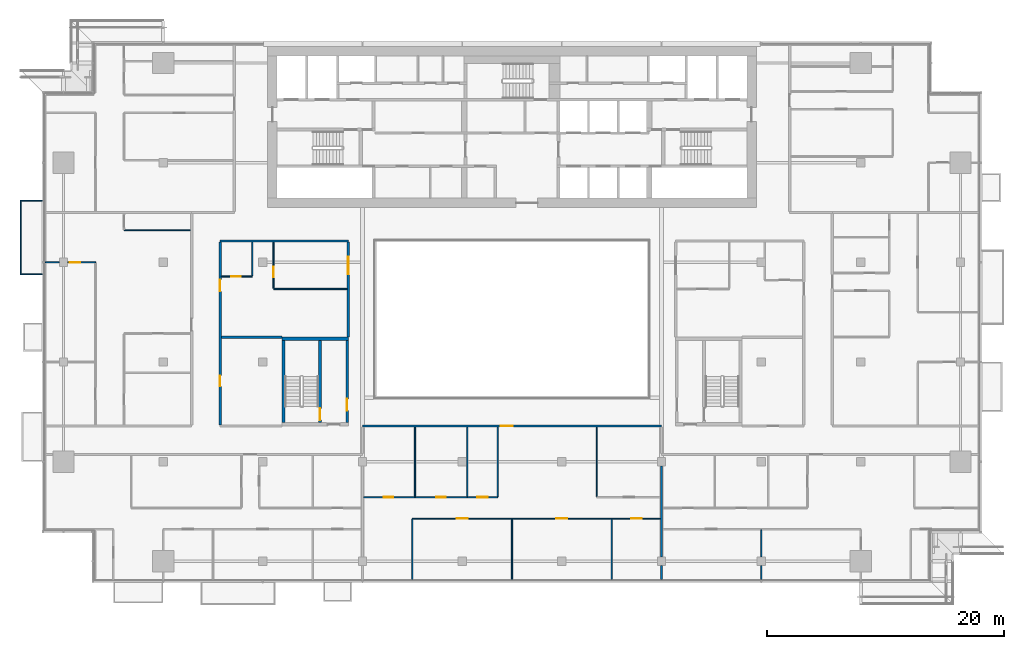
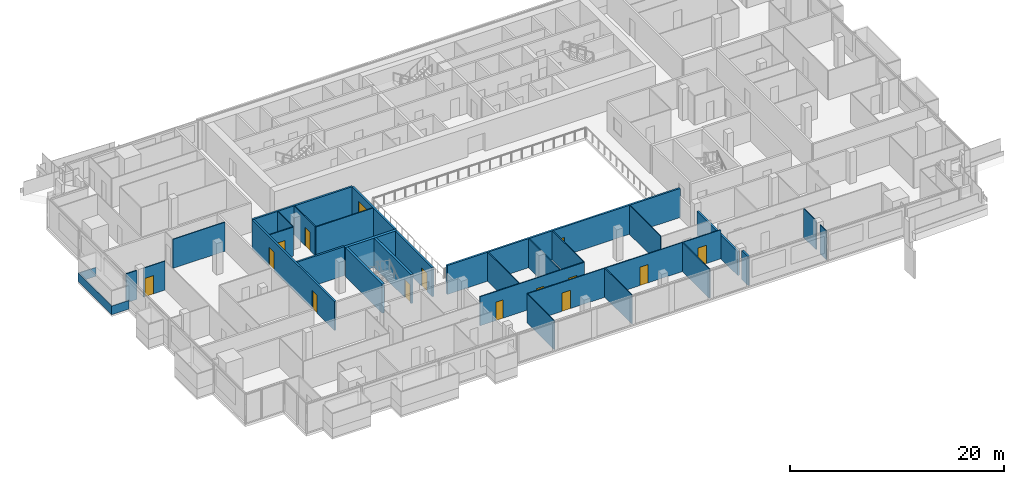
# One storey, part 18 of 30: 30 walls, 14 doors, 1 window, 15 openings.
"""IFC4 building model written with IfcOpenShell, lengths in metres."""

from ifc_helpers import new_model, si_unit, direction, frame, frame_2d, origin, place, context, subcontext, project, spatial, polyline, rectangle, outline, extrude, material, layer, layer_set, type_object, element, fill, save


model = new_model("IFC4")

# Units and contexts
model_context = context("Model", 3, precision=1e-05, world=origin(), true_north=direction((0.0, 1.0)))
body_context = subcontext(model_context, "Body", "Model", "MODEL_VIEW")
ifc_project = project(units=[si_unit("LENGTHUNIT", "METRE"), si_unit("AREAUNIT", "SQUARE_METRE"), si_unit("VOLUMEUNIT", "CUBIC_METRE"), si_unit("PLANEANGLEUNIT", "RADIAN"), si_unit("MASSUNIT", "GRAM", prefix="KILO")], contexts=[model_context])

# Site, building, storey
site_placement = place(None, origin())
site = spatial("IfcSite", under=ifc_project, at=site_placement, CompositionType="ELEMENT")
building_placement = place(site_placement, origin())
building = spatial("IfcBuilding", under=site, at=building_placement, Name="Saffron Gate Tower", CompositionType="ELEMENT")
storey_placement = place(building_placement, frame((0.0, 0.0, 158.25)))
storey = spatial("IfcBuildingStorey", under=building, at=storey_placement, Name="L38", CompositionType="ELEMENT", Elevation=158.25)

# Wall, opening, door
ifc_material_1 = material(Name="Gypsum board partition on steel studs", Category="steel")
ifc_layer_1 = layer(ifc_material_1, 0.199951171875)
ifc_layer_set_1 = layer_set([ifc_layer_1], Name="CW10 Core partition 200")
wall_type_1 = type_object("IfcWallType", Name="CW10 Core partition 200", PredefinedType="PARTITIONING", material=ifc_layer_set_1)
wall_1_placement = place(storey_placement, frame((73.699951171875, 43.5, 0.0), z_axis=(0.0, 0.0, 1.0), x_axis=(0.0, 1.0, 0.0)))
wall_1 = element("IfcWall", 1, at=wall_1_placement, inside=storey, type_object=wall_type_1, Name="Wall CW10-L38-D-4", PredefinedType="PARTITIONING", context=body_context, shape_type="SweptSolid", body=[
    extrude(rectangle(XDim=6.89990234375, YDim=0.199951171875, at=frame_2d((3.449951171875, 0.0))), origin(), (0.0, 0.0, 1.0), 3.320068359375),
])
opening_1_placement = place(wall_1_placement, frame((1.0, 0.0, 0.0)))
opening_1 = element("IfcOpeningElement", 2, at=opening_1_placement, cuts=wall_1, Name="Opening CR-19", PredefinedType="OPENING", context=body_context, shape_type="SweptSolid", body=[
    extrude(rectangle(XDim=1.0, YDim=2.10009765625, at=frame_2d((0.5, 1.050048828125))), frame((0.0, 0.10986328125, 0.0), z_axis=(0.0, -1.0, 0.0), x_axis=(1.0, 0.0, 0.0)), (0.0, 0.0, 1.0), 0.219970703125),
])
ifc_material_2 = material(Name="Steel fire door set", Category="steel")
door_type_1 = type_object("IfcDoorType", Name="CD4 Lobby door 1000x2100 EI 120", OperationType="NOTDEFINED", PredefinedType="DOOR", material=ifc_material_2)
door_1_placement = place(opening_1_placement, origin())
door_1 = element("IfcDoor", 3, at=door_1_placement, inside=storey, type_object=door_type_1, Name="DOOR CR-19", OperationType="SINGLE_SWING_RIGHT", OverallHeight=2.10009765625, OverallWidth=1.0, PredefinedType="DOOR", context=body_context, shape_type="SweptSolid", body=[
    extrude(rectangle(XDim=1.0, YDim=2.10009765625, at=frame_2d((0.5, 1.050048828125))), frame((0.0, 0.02490234375, 0.0), z_axis=(0.0, -1.0, 0.0), x_axis=(1.0, 0.0, 0.0)), (0.0, 0.0, 1.0), 0.050048828125),
])
fill(opening_1, door_1)

# Wall
ifc_material_3 = material(Name="Concrete C60", Category="concrete")
ifc_layer_2 = layer(ifc_material_3, 0.25)
ifc_layer_set_2 = layer_set([ifc_layer_2], Name="CW14 RC core wall 250 C60")
wall_type_2 = type_object("IfcWallType", Name="CW14 RC core wall 250 C60", PredefinedType="SOLIDWALL", material=ifc_layer_set_2)
wall_2_placement = place(storey_placement, frame((68.324951171875, 43.5, 0.0), z_axis=(0.0, 0.0, 1.0), x_axis=(0.0, 1.0, 0.0)))
element("IfcWall", 4, at=wall_2_placement, inside=storey, type_object=wall_type_2, Name="Wall CW14-L38-D-2", PredefinedType="SOLIDWALL", context=body_context, shape_type="SweptSolid", body=[
    extrude(rectangle(XDim=6.89990234375, YDim=0.25, at=frame_2d((3.449951171875, 0.0))), origin(), (0.0, 0.0, 1.0), 3.320068359375),
])

# Wall, opening, door
wall_3_placement = place(storey_placement, frame((71.425048828125, 43.5, 0.0), z_axis=(0.0, 0.0, 1.0), x_axis=(0.0, 1.0, 0.0)))
wall_3 = element("IfcWall", 5, at=wall_3_placement, inside=storey, type_object=wall_type_2, Name="Wall CW14-L38-D-3", PredefinedType="SOLIDWALL", context=body_context, shape_type="SweptSolid", body=[
    extrude(rectangle(XDim=6.89990234375, YDim=0.25, at=frame_2d((3.449951171875, 0.0))), origin(), (0.0, 0.0, 1.0), 3.320068359375),
])
opening_2_placement = place(wall_3_placement, frame((0.199951171875, 0.0, 0.0)))
opening_2 = element("IfcOpeningElement", 6, at=opening_2_placement, cuts=wall_3, Name="Opening CR-20", PredefinedType="OPENING", context=body_context, shape_type="SweptSolid", body=[
    extrude(rectangle(XDim=1.0, YDim=2.10009765625, at=frame_2d((0.5, 1.050048828125))), frame((0.0, 0.135009765625, 0.0), z_axis=(0.0, -1.0, 0.0), x_axis=(1.0, 0.0, 0.0)), (0.0, 0.0, 1.0), 0.27001953125),
])
door_type_2 = type_object("IfcDoorType", Name="CD5 Stair door 1000x2100 EI 120", OperationType="NOTDEFINED", PredefinedType="DOOR", material=ifc_material_2)
door_2_placement = place(opening_2_placement, origin())
door_2 = element("IfcDoor", 7, at=door_2_placement, inside=storey, type_object=door_type_2, Name="DOOR CR-20", OperationType="SINGLE_SWING_LEFT", OverallHeight=2.10009765625, OverallWidth=1.0, PredefinedType="DOOR", context=body_context, shape_type="SweptSolid", body=[
    extrude(rectangle(XDim=1.0, YDim=2.10009765625, at=frame_2d((0.5, 1.050048828125))), frame((0.0, 0.02490234375, 0.0), z_axis=(0.0, -1.0, 0.0), x_axis=(1.0, 0.0, 0.0)), (0.0, 0.0, 1.0), 0.050048828125),
])
fill(opening_2, door_2)

# Wall
ifc_layer_3 = layer(ifc_material_3, 0.300048828125)
ifc_layer_set_3 = layer_set([ifc_layer_3], Name="CW17 RC core wall 300 C60")
wall_type_3 = type_object("IfcWallType", Name="CW17 RC core wall 300 C60", PredefinedType="SOLIDWALL", material=ifc_layer_set_3)
wall_4_placement = place(storey_placement, frame((68.199951171875, 50.550048828125, 0.0), z_axis=(0.0, 0.0, 1.0), x_axis=(1.0, 0.0, 0.0)))
element("IfcWall", 8, at=wall_4_placement, inside=storey, type_object=wall_type_3, Name="Wall CW17-L38-D-5", PredefinedType="SOLIDWALL", context=body_context, shape_type="SweptSolid", body=[
    extrude(rectangle(XDim=5.60009765625, YDim=0.300048828125, at=frame_2d((2.800048828125, 0.0))), origin(), (0.0, 0.0, 1.0), 3.320068359375),
])

# Wall, openings, doors
ifc_material_4 = material(Name="Plasterboard on steel studs", Category="steel")
ifc_layer_4 = layer(ifc_material_4, 0.10009765625)
ifc_layer_set_4 = layer_set([ifc_layer_4], Name="PW1 Partition 100")
wall_type_4 = type_object("IfcWallType", Name="PW1 Partition 100", PredefinedType="PARTITIONING", material=ifc_layer_set_4)
wall_5_placement = place(storey_placement, frame((100.10009765625, 35.39990234375, 0.0), z_axis=(0.0, 0.0, 1.0), x_axis=(-1.0, 0.0, 0.0)))
wall_5 = element("IfcWall", 9, at=wall_5_placement, inside=storey, type_object=wall_type_4, Name="Partition C2-5", PredefinedType="PARTITIONING", context=body_context, shape_type="SweptSolid", body=[
    extrude(rectangle(XDim=20.900146484375, YDim=0.10009765625, at=frame_2d((10.4501953125, 0.0))), origin(), (0.0, 0.0, 1.0), 3.320068359375),
])
opening_3_placement = place(wall_5_placement, frame((1.550048828125, 0.0, 0.0)))
opening_3 = element("IfcOpeningElement", 10, at=opening_3_placement, cuts=wall_5, Name="Opening C2-17", PredefinedType="OPENING", context=body_context, shape_type="SweptSolid", body=[
    extrude(rectangle(XDim=0.89990234375, YDim=2.10009765625, at=frame_2d((0.449951171875, 1.050048828125))), frame((0.0, 0.06005859375, 0.0), z_axis=(0.0, -1.0, 0.0), x_axis=(1.0, 0.0, 0.0)), (0.0, 0.0, 1.0), 0.1201171875),
])
opening_4_placement = place(wall_5_placement, frame((7.85009765625, 0.0, 0.0)))
opening_4 = element("IfcOpeningElement", 11, at=opening_4_placement, cuts=wall_5, Name="Opening C2-16", PredefinedType="OPENING", context=body_context, shape_type="SweptSolid", body=[
    extrude(rectangle(XDim=0.89990234375, YDim=2.10009765625, at=frame_2d((0.449951171875, 1.050048828125))), frame((0.0, 0.06005859375, 0.0), z_axis=(0.0, -1.0, 0.0), x_axis=(1.0, 0.0, 0.0)), (0.0, 0.0, 1.0), 0.1201171875),
])
opening_5_placement = place(wall_5_placement, frame((16.25, 0.0, 0.0)))
opening_5 = element("IfcOpeningElement", 12, at=opening_5_placement, cuts=wall_5, Name="Opening C2-15", PredefinedType="OPENING", context=body_context, shape_type="SweptSolid", body=[
    extrude(rectangle(XDim=0.89990234375, YDim=2.10009765625, at=frame_2d((0.449951171875, 1.050048828125))), frame((0.0, 0.06005859375, 0.0), z_axis=(0.0, -1.0, 0.0), x_axis=(1.0, 0.0, 0.0)), (0.0, 0.0, 1.0), 0.1201171875),
])
ifc_material_5 = material(Name="Timber door set", Category="wood")
door_type_3 = type_object("IfcDoorType", Name="RD1 Room door 900x2100", OperationType="NOTDEFINED", PredefinedType="DOOR", material=ifc_material_5)
door_3_placement = place(opening_3_placement, origin())
door_3 = element("IfcDoor", 13, at=door_3_placement, inside=storey, type_object=door_type_3, Name="Door C2-17", OperationType="SINGLE_SWING_LEFT", OverallHeight=2.10009765625, OverallWidth=0.89990234375, PredefinedType="DOOR", context=body_context, shape_type="SweptSolid", body=[
    extrude(rectangle(XDim=0.89990234375, YDim=2.10009765625, at=frame_2d((0.449951171875, 1.050048828125))), frame((0.0, 0.02490234375, 0.0), z_axis=(0.0, -1.0, 0.0), x_axis=(1.0, 0.0, 0.0)), (0.0, 0.0, 1.0), 0.050048828125),
])
fill(opening_3, door_3)
door_4_placement = place(opening_4_placement, origin())
door_4 = element("IfcDoor", 14, at=door_4_placement, inside=storey, type_object=door_type_3, Name="Door C2-16", OperationType="SINGLE_SWING_RIGHT", OverallHeight=2.10009765625, OverallWidth=0.89990234375, PredefinedType="DOOR", context=body_context, shape_type="SweptSolid", body=[
    extrude(rectangle(XDim=0.89990234375, YDim=2.10009765625, at=frame_2d((0.449951171875, 1.050048828125))), frame((0.0, 0.02490234375, 0.0), z_axis=(0.0, -1.0, 0.0), x_axis=(1.0, 0.0, 0.0)), (0.0, 0.0, 1.0), 0.050048828125),
])
fill(opening_4, door_4)
door_5_placement = place(opening_5_placement, origin())
door_5 = element("IfcDoor", 15, at=door_5_placement, inside=storey, type_object=door_type_3, Name="Door C2-15", OperationType="SINGLE_SWING_LEFT", OverallHeight=2.10009765625, OverallWidth=0.89990234375, PredefinedType="DOOR", context=body_context, shape_type="SweptSolid", body=[
    extrude(rectangle(XDim=0.89990234375, YDim=2.10009765625, at=frame_2d((0.449951171875, 1.050048828125))), frame((0.0, 0.02490234375, 0.0), z_axis=(0.0, -1.0, 0.0), x_axis=(1.0, 0.0, 0.0)), (0.0, 0.0, 1.0), 0.050048828125),
])
fill(opening_5, door_5)

wall_6_placement = place(storey_placement, frame((75.10009765625, 37.199951171875, 0.0), z_axis=(0.0, 0.0, 1.0), x_axis=(1.0, 0.0, 0.0)))
wall_6 = element("IfcWall", 16, at=wall_6_placement, inside=storey, type_object=wall_type_4, Name="Partition C2-10", PredefinedType="PARTITIONING", context=body_context, shape_type="SweptSolid", body=[
    extrude(rectangle(XDim=11.2998046875, YDim=0.10009765625, at=frame_2d((5.64990234375, 0.0))), origin(), (0.0, 0.0, 1.0), 3.320068359375),
])
opening_6_placement = place(wall_6_placement, frame((1.708251953125, 0.0, 0.0)))
opening_6 = element("IfcOpeningElement", 17, at=opening_6_placement, cuts=wall_6, Name="Opening C2-41", PredefinedType="OPENING", context=body_context, shape_type="SweptSolid", body=[
    extrude(rectangle(XDim=0.800048828125, YDim=2.10009765625, at=frame_2d((0.39990234375, 1.050048828125))), frame((0.0, 0.06005859375, 0.0), z_axis=(0.0, -1.0, 0.0), x_axis=(1.0, 0.0, 0.0)), (0.0, 0.0, 1.0), 0.1201171875),
])
opening_7_placement = place(wall_6_placement, frame((6.125, 0.0, 0.0)))
opening_7 = element("IfcOpeningElement", 18, at=opening_7_placement, cuts=wall_6, Name="Opening C2-42", PredefinedType="OPENING", context=body_context, shape_type="SweptSolid", body=[
    extrude(rectangle(XDim=0.800048828125, YDim=2.10009765625, at=frame_2d((0.39990234375, 1.050048828125))), frame((0.0, 0.06005859375, 0.0), z_axis=(0.0, -1.0, 0.0), x_axis=(1.0, 0.0, 0.0)), (0.0, 0.0, 1.0), 0.1201171875),
])
opening_8_placement = place(wall_6_placement, frame((9.566650390625, 0.0, 0.0)))
opening_8 = element("IfcOpeningElement", 19, at=opening_8_placement, cuts=wall_6, Name="Opening C2-19", PredefinedType="OPENING", context=body_context, shape_type="SweptSolid", body=[
    extrude(rectangle(XDim=0.89990234375, YDim=2.10009765625, at=frame_2d((0.449951171875, 1.050048828125))), frame((0.0, 0.06005859375, 0.0), z_axis=(0.0, -1.0, 0.0), x_axis=(1.0, 0.0, 0.0)), (0.0, 0.0, 1.0), 0.1201171875),
])
door_6_placement = place(opening_8_placement, origin())
door_6 = element("IfcDoor", 20, at=door_6_placement, inside=storey, type_object=door_type_3, Name="Door C2-19", OperationType="SINGLE_SWING_LEFT", OverallHeight=2.10009765625, OverallWidth=0.89990234375, PredefinedType="DOOR", context=body_context, shape_type="SweptSolid", body=[
    extrude(rectangle(XDim=0.89990234375, YDim=2.10009765625, at=frame_2d((0.449951171875, 1.050048828125))), frame((0.0, 0.02490234375, 0.0), z_axis=(0.0, -1.0, 0.0), x_axis=(1.0, 0.0, 0.0)), (0.0, 0.0, 1.0), 0.050048828125),
])
fill(opening_8, door_6)
door_type_4 = type_object("IfcDoorType", Name="RD2 Bathroom door 800x2100", OperationType="NOTDEFINED", PredefinedType="DOOR", material=ifc_material_5)
door_7_placement = place(opening_6_placement, origin())
door_7 = element("IfcDoor", 21, at=door_7_placement, inside=storey, type_object=door_type_4, Name="Door C2-41", OperationType="SINGLE_SWING_LEFT", OverallHeight=2.10009765625, OverallWidth=0.800048828125, PredefinedType="DOOR", context=body_context, shape_type="SweptSolid", body=[
    extrude(rectangle(XDim=0.800048828125, YDim=2.10009765625, at=frame_2d((0.39990234375, 1.050048828125))), frame((0.0, 0.02490234375, 0.0), z_axis=(0.0, -1.0, 0.0), x_axis=(1.0, 0.0, 0.0)), (0.0, 0.0, 1.0), 0.050048828125),
])
fill(opening_6, door_7)
door_8_placement = place(opening_7_placement, origin())
door_8 = element("IfcDoor", 22, at=door_8_placement, inside=storey, type_object=door_type_4, Name="Door C2-42", OperationType="SINGLE_SWING_LEFT", OverallHeight=2.10009765625, OverallWidth=0.800048828125, PredefinedType="DOOR", context=body_context, shape_type="SweptSolid", body=[
    extrude(rectangle(XDim=0.800048828125, YDim=2.10009765625, at=frame_2d((0.39990234375, 1.050048828125))), frame((0.0, 0.02490234375, 0.0), z_axis=(0.0, -1.0, 0.0), x_axis=(1.0, 0.0, 0.0)), (0.0, 0.0, 1.0), 0.050048828125),
])
fill(opening_7, door_8)

# Wall
wall_7_placement = place(storey_placement, frame((67.5, 54.75, 0.0), z_axis=(0.0, 0.0, 1.0), x_axis=(1.0, 0.0, 0.0)))
element("IfcWall", 23, at=wall_7_placement, inside=storey, type_object=wall_type_4, Name="Partition C2-32", PredefinedType="PARTITIONING", context=body_context, shape_type="SweptSolid", body=[
    extrude(rectangle(XDim=6.199951171875, YDim=0.10009765625, at=frame_2d((3.10009765625, 0.0))), origin(), (0.0, 0.0, 1.0), 3.320068359375),
])

# Wall, opening, door
wall_8_placement = place(storey_placement, frame((63.10009765625, 55.800048828125, 0.0), z_axis=(0.0, 0.0, 1.0), x_axis=(1.0, 0.0, 0.0)))
wall_8 = element("IfcWall", 24, at=wall_8_placement, inside=storey, type_object=wall_type_4, Name="Partition C2-35", PredefinedType="PARTITIONING", context=body_context, shape_type="SweptSolid", body=[
    extrude(rectangle(XDim=2.599853515625, YDim=0.10009765625, at=frame_2d((1.2998046875, 0.0))), origin(), (0.0, 0.0, 1.0), 3.320068359375),
])
opening_9_placement = place(wall_8_placement, frame((0.85009765625, 0.0, 0.0)))
opening_9 = element("IfcOpeningElement", 25, at=opening_9_placement, cuts=wall_8, Name="Opening C2-52", PredefinedType="OPENING", context=body_context, shape_type="SweptSolid", body=[
    extrude(rectangle(XDim=0.800048828125, YDim=2.10009765625, at=frame_2d((0.39990234375, 1.050048828125))), frame((0.0, 0.06005859375, 0.0), z_axis=(0.0, -1.0, 0.0), x_axis=(1.0, 0.0, 0.0)), (0.0, 0.0, 1.0), 0.1201171875),
])
door_9_placement = place(opening_9_placement, origin())
door_9 = element("IfcDoor", 26, at=door_9_placement, inside=storey, type_object=door_type_4, Name="Door C2-52", OperationType="SINGLE_SWING_LEFT", OverallHeight=2.10009765625, OverallWidth=0.800048828125, PredefinedType="DOOR", context=body_context, shape_type="SweptSolid", body=[
    extrude(rectangle(XDim=0.800048828125, YDim=2.10009765625, at=frame_2d((0.39990234375, 1.050048828125))), frame((0.0, 0.02490234375, 0.0), z_axis=(0.0, -1.0, 0.0), x_axis=(1.0, 0.0, 0.0)), (0.0, 0.0, 1.0), 0.050048828125),
])
fill(opening_9, door_9)

# Wall
wall_9_placement = place(storey_placement, frame((48.280029296875, 57.0, 0.0), z_axis=(0.0, 0.0, 1.0), x_axis=(1.0, 0.0, 0.0)))
element("IfcWall", 27, at=wall_9_placement, inside=storey, type_object=wall_type_4, Name="Partition C2-37", PredefinedType="PARTITIONING", context=body_context, shape_type="SweptSolid", body=[
    extrude(rectangle(XDim=1.14990234375, YDim=0.10009765625, at=frame_2d((0.574951171875, 0.0))), origin(), (0.0, 0.0, 1.0), 3.320068359375),
])

# Wall, opening, door
wall_10_placement = place(storey_placement, frame((52.5, 57.0, 0.0), z_axis=(0.0, 0.0, 1.0), x_axis=(-1.0, 0.0, 0.0)))
wall_10 = element("IfcWall", 28, at=wall_10_placement, inside=storey, type_object=wall_type_4, Name="Partition C2-38", PredefinedType="PARTITIONING", context=body_context, shape_type="SweptSolid", body=[
    extrude(rectangle(XDim=2.330078125, YDim=0.10009765625, at=frame_2d((1.1650390625, 0.0))), origin(), (0.0, 0.0, 1.0), 3.320068359375),
])
opening_10_placement = place(wall_10_placement, frame((1.280029296875, 0.0, 0.0)))
opening_10 = element("IfcOpeningElement", 29, at=opening_10_placement, cuts=wall_10, Name="Opening C2-26", PredefinedType="OPENING", context=body_context, shape_type="SweptSolid", body=[
    extrude(rectangle(XDim=0.89990234375, YDim=2.10009765625, at=frame_2d((0.449951171875, 1.050048828125))), frame((0.0, 0.06005859375, 0.0), z_axis=(0.0, -1.0, 0.0), x_axis=(1.0, 0.0, 0.0)), (0.0, 0.0, 1.0), 0.1201171875),
])
door_10_placement = place(opening_10_placement, origin())
door_10 = element("IfcDoor", 30, at=door_10_placement, inside=storey, type_object=door_type_3, Name="Door C2-26", OperationType="SINGLE_SWING_RIGHT", OverallHeight=2.10009765625, OverallWidth=0.89990234375, PredefinedType="DOOR", context=body_context, shape_type="SweptSolid", body=[
    extrude(rectangle(XDim=0.89990234375, YDim=2.10009765625, at=frame_2d((0.449951171875, 1.050048828125))), frame((0.0, 0.02490234375, 0.0), z_axis=(0.0, -1.0, 0.0), x_axis=(1.0, 0.0, 0.0)), (0.0, 0.0, 1.0), 0.050048828125),
])
fill(opening_10, door_10)

# Walls
wall_11_placement = place(storey_placement, frame((54.89990234375, 59.693115234375, 0.0), z_axis=(0.0, 0.0, 1.0), x_axis=(1.0, 0.0, 0.0)))
element("IfcWall", 31, at=wall_11_placement, inside=storey, type_object=wall_type_4, Name="Partition C2-42", PredefinedType="PARTITIONING", context=body_context, shape_type="SweptSolid", body=[
    extrude(rectangle(XDim=5.60009765625, YDim=0.10009765625, at=frame_2d((2.800048828125, 0.0))), origin(), (0.0, 0.0, 1.0), 3.320068359375),
])
wall_12_placement = place(storey_placement, frame((65.699951171875, 58.699951171875, 0.0), z_axis=(0.0, 0.0, 1.0), x_axis=(0.0, -1.0, 0.0)))
element("IfcWall", 32, at=wall_12_placement, inside=storey, type_object=wall_type_4, Name="Partition C2-77", PredefinedType="PARTITIONING", context=body_context, shape_type="SweptSolid", body=[
    extrude(rectangle(XDim=2.849853515625, YDim=0.10009765625, at=frame_2d((1.4248046875, 0.0))), origin(), (0.0, 0.0, 1.0), 3.320068359375),
])

# Wall, opening, door
wall_13_placement = place(storey_placement, frame((67.5, 58.699951171875, 0.0), z_axis=(0.0, 0.0, 1.0), x_axis=(0.0, -1.0, 0.0)))
wall_13 = element("IfcWall", 33, at=wall_13_placement, inside=storey, type_object=wall_type_4, Name="Partition C2-79", PredefinedType="PARTITIONING", context=body_context, shape_type="SweptSolid", body=[
    extrude(rectangle(XDim=3.89990234375, YDim=0.10009765625, at=frame_2d((1.949951171875, 0.0))), origin(), (0.0, 0.0, 1.0), 3.320068359375),
])
opening_11_placement = place(wall_13_placement, frame((2.074951171875, 0.0, 0.0)))
opening_11 = element("IfcOpeningElement", 34, at=opening_11_placement, cuts=wall_13, Name="Opening C2-37", PredefinedType="OPENING", context=body_context, shape_type="SweptSolid", body=[
    extrude(rectangle(XDim=0.89990234375, YDim=2.10009765625, at=frame_2d((0.449951171875, 1.050048828125))), frame((0.0, 0.06005859375, 0.0), z_axis=(0.0, -1.0, 0.0), x_axis=(1.0, 0.0, 0.0)), (0.0, 0.0, 1.0), 0.1201171875),
])
door_11_placement = place(opening_11_placement, origin())
door_11 = element("IfcDoor", 35, at=door_11_placement, inside=storey, type_object=door_type_3, Name="Door C2-37", OperationType="SINGLE_SWING_RIGHT", OverallHeight=2.10009765625, OverallWidth=0.89990234375, PredefinedType="DOOR", context=body_context, shape_type="SweptSolid", body=[
    extrude(rectangle(XDim=0.89990234375, YDim=2.10009765625, at=frame_2d((0.449951171875, 1.050048828125))), frame((0.0, 0.02490234375, 0.0), z_axis=(0.0, -1.0, 0.0), x_axis=(1.0, 0.0, 0.0)), (0.0, 0.0, 1.0), 0.050048828125),
])
fill(opening_11, door_11)

# Walls
wall_14_placement = place(storey_placement, frame((79.199951171875, 35.35009765625, 0.0), z_axis=(0.0, 0.0, 1.0), x_axis=(0.0, -1.0, 0.0)))
element("IfcWall", 36, at=wall_14_placement, inside=storey, type_object=wall_type_4, Name="Partition C2-86", PredefinedType="PARTITIONING", context=body_context, shape_type="SweptSolid", body=[
    extrude(rectangle(XDim=5.070068359375, YDim=0.10009765625, at=frame_2d((2.53515625, 0.0))), origin(), (0.0, 0.0, 1.0), 3.320068359375),
])
for number, where, z_axis, x_axis, name in (
    (37, (79.416748046875, 43.10009765625, 0.0), (0.0, 0.0, 1.0), (0.0, -1.0, 0.0), "Partition C2-87"),
    (38, (83.833251953125, 43.10009765625, 0.0), (0.0, 0.0, 1.0), (0.0, -1.0, 0.0), "Partition C2-88"),
    (39, (86.39990234375, 43.10009765625, 0.0), (0.0, 0.0, 1.0), (0.0, -1.0, 0.0), "Partition C2-89"),
):
    element("IfcWall", number, at=place(storey_placement, frame(where, z_axis=z_axis, x_axis=x_axis)), inside=storey, type_object=wall_type_4, Name=name, PredefinedType="PARTITIONING", context=body_context, shape_type="SweptSolid", body=[
        extrude(rectangle(XDim=5.85009765625, YDim=0.10009765625, at=frame_2d((2.925048828125, 0.0))), origin(), (0.0, 0.0, 1.0), 3.320068359375),
    ])
wall_15_placement = place(storey_placement, frame((87.60009765625, 35.35009765625, 0.0), z_axis=(0.0, 0.0, 1.0), x_axis=(0.0, -1.0, 0.0)))
element("IfcWall", 40, at=wall_15_placement, inside=storey, type_object=wall_type_4, Name="Partition C2-90", PredefinedType="PARTITIONING", context=body_context, shape_type="SweptSolid", body=[
    extrude(rectangle(XDim=5.070068359375, YDim=0.10009765625, at=frame_2d((2.53515625, 0.0))), origin(), (0.0, 0.0, 1.0), 3.320068359375),
])
wall_16_placement = place(storey_placement, frame((94.7333984375, 43.10009765625, 0.0), z_axis=(0.0, 0.0, 1.0), x_axis=(0.0, -1.0, 0.0)))
element("IfcWall", 41, at=wall_16_placement, inside=storey, type_object=wall_type_4, Name="Partition C2-91", PredefinedType="PARTITIONING", context=body_context, shape_type="SweptSolid", body=[
    extrude(rectangle(XDim=5.85009765625, YDim=0.10009765625, at=frame_2d((2.925048828125, 0.0))), origin(), (0.0, 0.0, 1.0), 3.320068359375),
])
wall_17_placement = place(storey_placement, frame((96.0, 35.35009765625, 0.0), z_axis=(0.0, 0.0, 1.0), x_axis=(0.0, -1.0, 0.0)))
element("IfcWall", 42, at=wall_17_placement, inside=storey, type_object=wall_type_4, Name="Partition C2-92", PredefinedType="PARTITIONING", context=body_context, shape_type="SweptSolid", body=[
    extrude(rectangle(XDim=5.070068359375, YDim=0.10009765625, at=frame_2d((2.53515625, 0.0))), origin(), (0.0, 0.0, 1.0), 3.320068359375),
])
wall_18_placement = place(storey_placement, frame((108.60009765625, 31.429931640625, 0.0), z_axis=(0.0, 0.0, 1.0), x_axis=(0.0, -1.0, 0.0)))
element("IfcWall", 43, at=wall_18_placement, inside=storey, type_object=wall_type_4, Name="Partition C2-99", PredefinedType="PARTITIONING", context=body_context, shape_type="SweptSolid", body=[
    extrude(rectangle(XDim=1.14990234375, YDim=0.10009765625, at=frame_2d((0.574951171875, 0.0))), origin(), (0.0, 0.0, 1.0), 3.320068359375),
])
wall_19_placement = place(storey_placement, frame((108.60009765625, 34.449951171875, 0.0), z_axis=(0.0, 0.0, 1.0), x_axis=(0.0, -1.0, 0.0)))
element("IfcWall", 44, at=wall_19_placement, inside=storey, type_object=wall_type_4, Name="Partition C2-100", PredefinedType="PARTITIONING", context=body_context, shape_type="SweptSolid", body=[
    extrude(rectangle(XDim=2.280029296875, YDim=0.10009765625, at=frame_2d((1.14013671875, 0.0))), origin(), (0.0, 0.0, 1.0), 3.320068359375),
])
ifc_material_6 = material(Name="Clay brick masonry, rendered", Category="masonry")
ifc_layer_5 = layer(ifc_material_6, 0.199951171875)
ifc_layer_set_5 = layer_set([ifc_layer_5], Name="PW2 Demising wall 200")
wall_type_5 = type_object("IfcWallType", Name="PW2 Demising wall 200", PredefinedType="PARTITIONING", material=ifc_layer_set_5)
wall_20_placement = place(storey_placement, frame((63.10009765625, 50.699951171875, 0.0), z_axis=(0.0, 0.0, 1.0), x_axis=(1.0, 0.0, 0.0)))
element("IfcWall", 45, at=wall_20_placement, inside=storey, type_object=wall_type_5, Name="Wall C2-26", PredefinedType="PARTITIONING", context=body_context, shape_type="SweptSolid", body=[
    extrude(rectangle(XDim=5.099853515625, YDim=0.199951171875, at=frame_2d((2.5498046875, 0.0))), origin(), (0.0, 0.0, 1.0), 3.320068359375),
])
wall_21_placement = place(storey_placement, frame((100.199951171875, 31.429931640625, 0.0), z_axis=(0.0, 0.0, 1.0), x_axis=(0.0, -1.0, 0.0)))
element("IfcWall", 46, at=wall_21_placement, inside=storey, type_object=wall_type_5, Name="Wall C2-94", PredefinedType="PARTITIONING", context=body_context, shape_type="SweptSolid", body=[
    extrude(rectangle(XDim=1.14990234375, YDim=0.199951171875, at=frame_2d((0.574951171875, 0.0))), origin(), (0.0, 0.0, 1.0), 3.320068359375),
])
wall_22_placement = place(storey_placement, frame((100.199951171875, 39.830078125, 0.0), z_axis=(0.0, 0.0, 1.0), x_axis=(0.0, -1.0, 0.0)))
element("IfcWall", 47, at=wall_22_placement, inside=storey, type_object=wall_type_5, Name="Wall C2-95", PredefinedType="PARTITIONING", context=body_context, shape_type="SweptSolid", body=[
    extrude(rectangle(XDim=7.66015625, YDim=0.199951171875, at=frame_2d((3.830078125, 0.0))), origin(), (0.0, 0.0, 1.0), 2.719970703125),
])

# Wall, opening, door
ifc_layer_6 = layer(ifc_material_6, 0.199951171875)
ifc_layer_set_6 = layer_set([ifc_layer_6], Name="PW3 Corridor wall 200")
wall_type_6 = type_object("IfcWallType", Name="PW3 Corridor wall 200", PredefinedType="PARTITIONING", material=ifc_layer_set_6)
wall_23_placement = place(storey_placement, frame((100.199951171875, 43.199951171875, 0.0), z_axis=(0.0, 0.0, 1.0), x_axis=(-1.0, 0.0, 0.0)))
wall_23 = element("IfcWall", 48, at=wall_23_placement, inside=storey, type_object=wall_type_6, Name="Wall C2-18", PredefinedType="PARTITIONING", context=body_context, shape_type="SweptSolid", body=[
    extrude(rectangle(XDim=25.199951171875, YDim=0.199951171875, at=frame_2d((12.60009765625, 0.0))), origin(), (0.0, 0.0, 1.0), 3.320068359375),
])
opening_12_placement = place(wall_23_placement, frame((12.550048828125, 0.0, 0.0)))
opening_12 = element("IfcOpeningElement", 49, at=opening_12_placement, cuts=wall_23, Name="Opening C2-2", PredefinedType="OPENING", context=body_context, shape_type="SweptSolid", body=[
    extrude(rectangle(XDim=1.0, YDim=2.10009765625, at=frame_2d((0.5, 1.050048828125))), frame((0.0, 0.10986328125, 0.0), z_axis=(0.0, -1.0, 0.0), x_axis=(1.0, 0.0, 0.0)), (0.0, 0.0, 1.0), 0.219970703125),
])
ifc_material_7 = material(Name="Timber fire door set", Category="wood")
door_type_5 = type_object("IfcDoorType", Name="FD1 Flat entry door 1000x2100", OperationType="NOTDEFINED", PredefinedType="DOOR", material=ifc_material_7)
door_12_placement = place(opening_12_placement, origin())
door_12 = element("IfcDoor", 50, at=door_12_placement, inside=storey, type_object=door_type_5, Name="Door C2-2", OperationType="SINGLE_SWING_RIGHT", OverallHeight=2.10009765625, OverallWidth=1.0, PredefinedType="DOOR", context=body_context, shape_type="SweptSolid", body=[
    extrude(rectangle(XDim=1.0, YDim=2.10009765625, at=frame_2d((0.5, 1.050048828125))), frame((0.0, 0.02490234375, 0.0), z_axis=(0.0, -1.0, 0.0), x_axis=(1.0, 0.0, 0.0)), (0.0, 0.0, 1.0), 0.050048828125),
])
fill(opening_12, door_12)

# Wall
wall_24_placement = place(storey_placement, frame((63.0, 58.800048828125, 0.0), z_axis=(0.0, 0.0, 1.0), x_axis=(1.0, 0.0, 0.0)))
element("IfcWall", 51, at=wall_24_placement, inside=storey, type_object=wall_type_6, Name="Wall C2-39", PredefinedType="PARTITIONING", context=body_context, shape_type="SweptSolid", body=[
    extrude(rectangle(XDim=10.800048828125, YDim=0.199951171875, at=frame_2d((5.39990234375, 0.0))), origin(), (0.0, 0.0, 1.0), 3.320068359375),
])

# Wall, openings, doors
wall_25_placement = place(storey_placement, frame((63.0, 58.699951171875, 0.0), z_axis=(0.0, 0.0, 1.0), x_axis=(0.0, -1.0, 0.0)))
wall_25 = element("IfcWall", 52, at=wall_25_placement, inside=storey, type_object=wall_type_6, Name="Wall C2-74", PredefinedType="PARTITIONING", context=body_context, shape_type="SweptSolid", body=[
    extrude(rectangle(XDim=15.39990234375, YDim=0.199951171875, at=frame_2d((7.699951171875, 0.0))), origin(), (0.0, 0.0, 1.0), 3.320068359375),
])
opening_13_placement = place(wall_25_placement, frame((3.14990234375, 0.0, 0.0)))
opening_13 = element("IfcOpeningElement", 53, at=opening_13_placement, cuts=wall_25, Name="Opening C2-8", PredefinedType="OPENING", context=body_context, shape_type="SweptSolid", body=[
    extrude(rectangle(XDim=1.0, YDim=2.10009765625, at=frame_2d((0.5, 1.050048828125))), frame((0.0, 0.10986328125, 0.0), z_axis=(0.0, -1.0, 0.0), x_axis=(1.0, 0.0, 0.0)), (0.0, 0.0, 1.0), 0.219970703125),
])
opening_14_placement = place(wall_25_placement, frame((11.25, 0.0, 0.0)))
opening_14 = element("IfcOpeningElement", 54, at=opening_14_placement, cuts=wall_25, Name="Opening C2-55", PredefinedType="OPENING", context=body_context, shape_type="SweptSolid", body=[
    extrude(rectangle(XDim=0.89990234375, YDim=2.10009765625, at=frame_2d((0.449951171875, 1.050048828125))), frame((0.0, 0.10986328125, 0.0), z_axis=(0.0, -1.0, 0.0), x_axis=(1.0, 0.0, 0.0)), (0.0, 0.0, 1.0), 0.219970703125),
])
door_13_placement = place(opening_13_placement, origin())
door_13 = element("IfcDoor", 55, at=door_13_placement, inside=storey, type_object=door_type_5, Name="Door C2-8", OperationType="SINGLE_SWING_LEFT", OverallHeight=2.10009765625, OverallWidth=1.0, PredefinedType="DOOR", context=body_context, shape_type="SweptSolid", body=[
    extrude(rectangle(XDim=1.0, YDim=2.10009765625, at=frame_2d((0.5, 1.050048828125))), frame((0.0, 0.02490234375, 0.0), z_axis=(0.0, -1.0, 0.0), x_axis=(1.0, 0.0, 0.0)), (0.0, 0.0, 1.0), 0.050048828125),
])
fill(opening_13, door_13)
door_type_6 = type_object("IfcDoorType", Name="SD1 Service door 900x2100", OperationType="NOTDEFINED", PredefinedType="DOOR", material=ifc_material_2)
door_14_placement = place(opening_14_placement, origin())
door_14 = element("IfcDoor", 56, at=door_14_placement, inside=storey, type_object=door_type_6, Name="Door C2-55", OperationType="SINGLE_SWING_RIGHT", OverallHeight=2.10009765625, OverallWidth=0.89990234375, PredefinedType="DOOR", context=body_context, shape_type="SweptSolid", body=[
    extrude(rectangle(XDim=0.89990234375, YDim=2.10009765625, at=frame_2d((0.449951171875, 1.050048828125))), frame((0.0, 0.02490234375, 0.0), z_axis=(0.0, -1.0, 0.0), x_axis=(1.0, 0.0, 0.0)), (0.0, 0.0, 1.0), 0.050048828125),
])
fill(opening_14, door_14)

# Wall, opening, window
wall_26_placement = place(storey_placement, frame((73.800048828125, 58.699951171875, 0.0), z_axis=(0.0, 0.0, 1.0), x_axis=(0.0, -1.0, 0.0)))
wall_26 = element("IfcWall", 57, at=wall_26_placement, inside=storey, type_object=wall_type_6, Name="Wall C2-82", PredefinedType="PARTITIONING", context=body_context, shape_type="SweptSolid", body=[
    extrude(rectangle(XDim=8.0, YDim=0.199951171875, at=frame_2d((4.0, 0.0))), origin(), (0.0, 0.0, 1.0), 3.320068359375),
])
opening_15_placement = place(wall_26_placement, frame((1.22509765625, 0.0, 0.89990234375)))
opening_15 = element("IfcOpeningElement", 58, at=opening_15_placement, cuts=wall_26, Name="Opening GW1", PredefinedType="OPENING", context=body_context, shape_type="SweptSolid", body=[
    extrude(rectangle(XDim=1.5, YDim=1.5, at=frame_2d((0.75, 0.75))), frame((0.0, 0.10986328125, 0.0), z_axis=(0.0, -1.0, 0.0), x_axis=(1.0, 0.0, 0.0)), (0.0, 0.0, 1.0), 0.219970703125),
])
ifc_material_8 = material(Name="Fire-resisting laminated glass in steel frame", Category="steel")
ifc_layer_7 = layer(ifc_material_8, 0.06005859375)
ifc_layer_set_7 = layer_set([ifc_layer_7], Name="GW1 Gallery window 1500x1500")
window_type = type_object("IfcWindowType", Name="GW1 Gallery window 1500x1500", PartitioningType="SINGLE_PANEL", PredefinedType="WINDOW", material=ifc_layer_set_7)
window_placement = place(opening_15_placement, origin())
window = element("IfcWindow", 59, at=window_placement, inside=storey, type_object=window_type, Name="GW1 window C2-H-B1", OverallHeight=1.5, OverallWidth=1.5, PartitioningType="SINGLE_PANEL", PredefinedType="WINDOW", context=body_context, shape_type="SweptSolid", body=[
    extrude(rectangle(XDim=1.5, YDim=1.5, at=frame_2d((0.75, 0.75))), frame((0.0, 0.030029296875, 0.0), z_axis=(0.0, -1.0, 0.0), x_axis=(1.0, 0.0, 0.0)), (0.0, 0.0, 1.0), 0.06005859375),
])
fill(opening_15, window)

# Wall
ifc_material_9 = material(Name="Rendered insulated panel, white")
ifc_layer_8 = layer(ifc_material_9, 0.10009765625)
ifc_layer_set_8 = layer_set([ifc_layer_8], Name="WB3 box parapet white")
wall_type_7 = type_object("IfcWallType", Name="WB3 box parapet white", PredefinedType="SOLIDWALL", material=ifc_layer_set_8)
wall_27_placement = place(storey_placement, origin())
element("IfcWall", 60, at=wall_27_placement, inside=storey, type_object=wall_type_7, Name="WINDOW BOX parapet", PredefinedType="SOLIDWALL", context=body_context, shape_type="SweptSolid", body=[
    extrude(outline(polyline([(48.0, 62.25), (48.0, 62.14990234375), (46.23291015625, 62.14990234375), (46.23291015625, 56.050048828125), (48.0, 56.050048828125), (48.0, 55.949951171875), (46.133056640625, 55.949951171875), (46.133056640625, 62.25), (48.0, 62.25)])), origin(), (0.0, 0.0, 1.0), 1.0),
])

save(model, "model.ifc")
